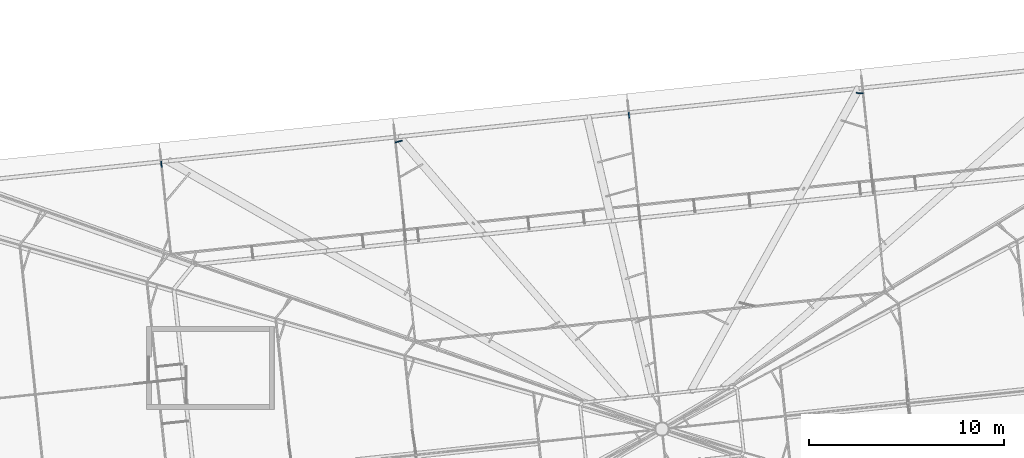
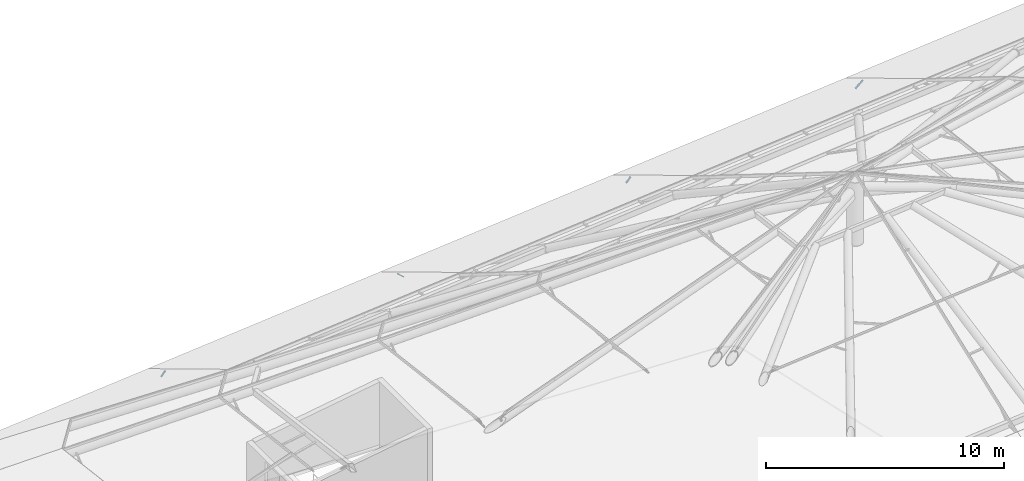
# One storey, part 17 of 20: 4 discrete accessories.
"""IFC4 building model written with IfcOpenShell, lengths in metres."""

from ifc_helpers import new_model, si_unit, direction, frame, origin, origin_2d, place, context, subcontext, project, spatial, rectangle, extrude, material, material_profile, profile_set, type_object, element, save


model = new_model("IFC4")

# Units and contexts
model_context = context("Model", 3, precision=1e-05, world=origin(), true_north=direction((0.0, 1.0)))
body_context = subcontext(model_context, "Body", "Model", "MODEL_VIEW")
ifc_project = project(units=[si_unit("LENGTHUNIT", "METRE"), si_unit("AREAUNIT", "SQUARE_METRE"), si_unit("VOLUMEUNIT", "CUBIC_METRE"), si_unit("PLANEANGLEUNIT", "RADIAN"), si_unit("MASSUNIT", "GRAM", prefix="KILO")], contexts=[model_context])

# Site, building, storey
site_placement = place(None, origin())
site = spatial("IfcSite", under=ifc_project, at=site_placement, CompositionType="ELEMENT")
building_placement = place(site_placement, origin())
building = spatial("IfcBuilding", under=site, at=building_placement, Name="Hakoniwa Tower and Hamabe Station Hall", CompositionType="ELEMENT")
storey_placement = place(building_placement, frame((0.0, 0.0, 285.0)))
storey = spatial("IfcBuildingStorey", under=building, at=storey_placement, Name="Roof", CompositionType="ELEMENT", Elevation=285.0)

# Discrete accessories
ifc_material = material(Name="Stainless steel SUS304", Category="steel")
ifc_material_profile = material_profile(ifc_material, rectangle(XDim=0.050048828125, YDim=0.050048828125, at=origin_2d()), Name="CW-4 GLAZING BRACKET 50X50")
ifc_profile_set = profile_set([ifc_material_profile], Name="Stainless steel SUS304")
discrete_accessory_type = type_object("IfcDiscreteAccessoryType", Name="CW-4 GLAZING BRACKET 50X50", PredefinedType="BRACKET", material=ifc_profile_set)
discrete_accessory_1_placement = place(storey_placement, frame((-25.672607421875, 15.94384765625, 0.595458984375), z_axis=(-0.054691924927, 0.51887210828, -0.853100538388), x_axis=(-0.994490715338, -0.104824697022, 0.0)))
element("IfcDiscreteAccessory", 1, at=discrete_accessory_1_placement, inside=storey, type_object=discrete_accessory_type, Name="Glazing bracket", PredefinedType="BRACKET", context=body_context, shape_type="SweptSolid", body=[
    extrude(rectangle(XDim=0.050048828125, YDim=0.050048828125, at=origin_2d()), origin(), (0.0, 0.0, 1.0), 0.522216796875),
])
discrete_accessory_2_placement = place(storey_placement, frame((-13.67529296875, 17.204833984375, 0.595458984375), z_axis=(0.70186774975, 0.190617957128, -0.686328242375), x_axis=(-0.262092772732, 0.965042682207, 0.0)))
element("IfcDiscreteAccessory", 2, at=discrete_accessory_2_placement, inside=storey, type_object=discrete_accessory_type, Name="Glazing bracket", PredefinedType="BRACKET", context=body_context, shape_type="SweptSolid", body=[
    extrude(rectangle(XDim=0.050048828125, YDim=0.050048828125, at=origin_2d()), origin(), (0.0, 0.0, 1.0), 0.471435546875),
])
discrete_accessory_3_placement = place(storey_placement, frame((-1.677978515625, 18.4658203125, 0.595458984375), z_axis=(-0.054691924927, 0.51887210828, -0.853100538388), x_axis=(-0.994490715338, -0.104824697022, 0.0)))
element("IfcDiscreteAccessory", 3, at=discrete_accessory_3_placement, inside=storey, type_object=discrete_accessory_type, Name="Glazing bracket", PredefinedType="BRACKET", context=body_context, shape_type="SweptSolid", body=[
    extrude(rectangle(XDim=0.050048828125, YDim=0.050048828125, at=origin_2d()), origin(), (0.0, 0.0, 1.0), 0.522216796875),
])
discrete_accessory_4_placement = place(storey_placement, frame((10.319091796875, 19.726806640625, 0.595458984375), z_axis=(-0.726189694752, 0.040401423816, -0.686306237907), x_axis=(-0.055548905469, -0.998455967532, 0.0)))
element("IfcDiscreteAccessory", 4, at=discrete_accessory_4_placement, inside=storey, type_object=discrete_accessory_type, Name="Glazing bracket", PredefinedType="BRACKET", context=body_context, shape_type="SweptSolid", body=[
    extrude(rectangle(XDim=0.050048828125, YDim=0.050048828125, at=origin_2d()), origin(), (0.0, 0.0, 1.0), 0.471435546875),
])

save(model, "model.ifc")
